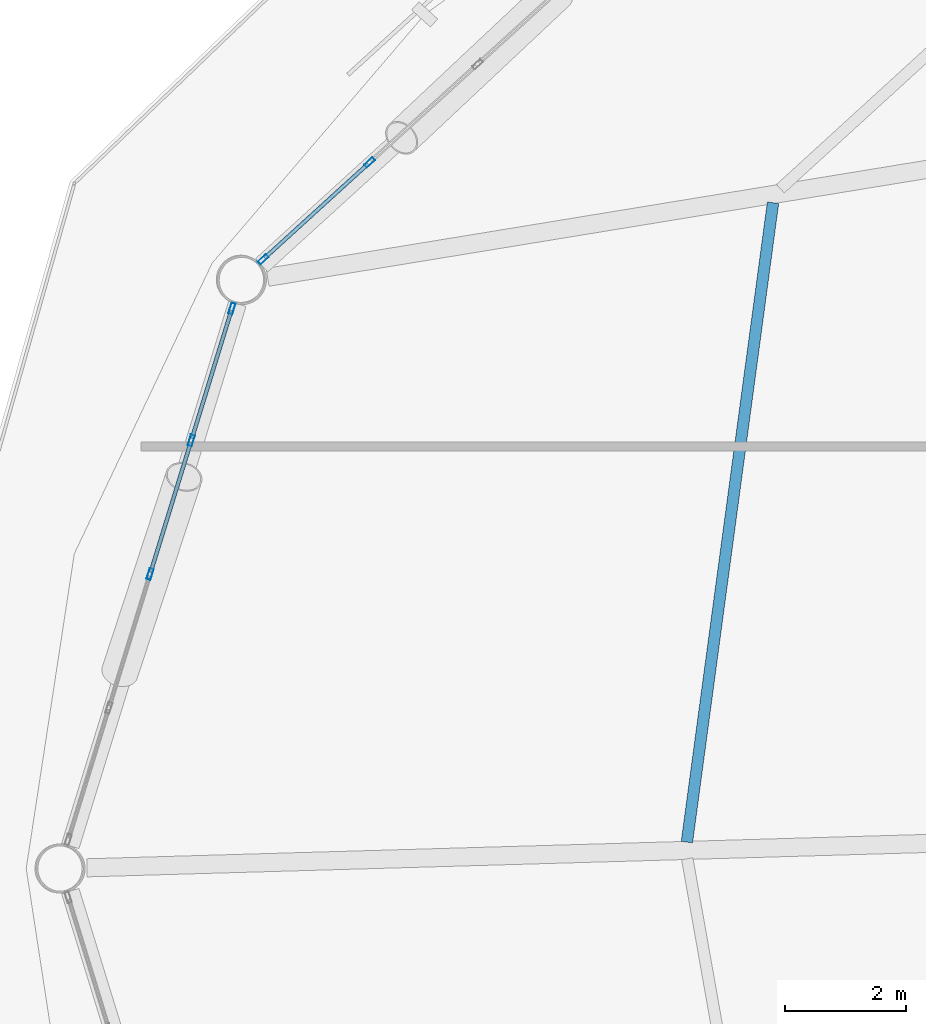
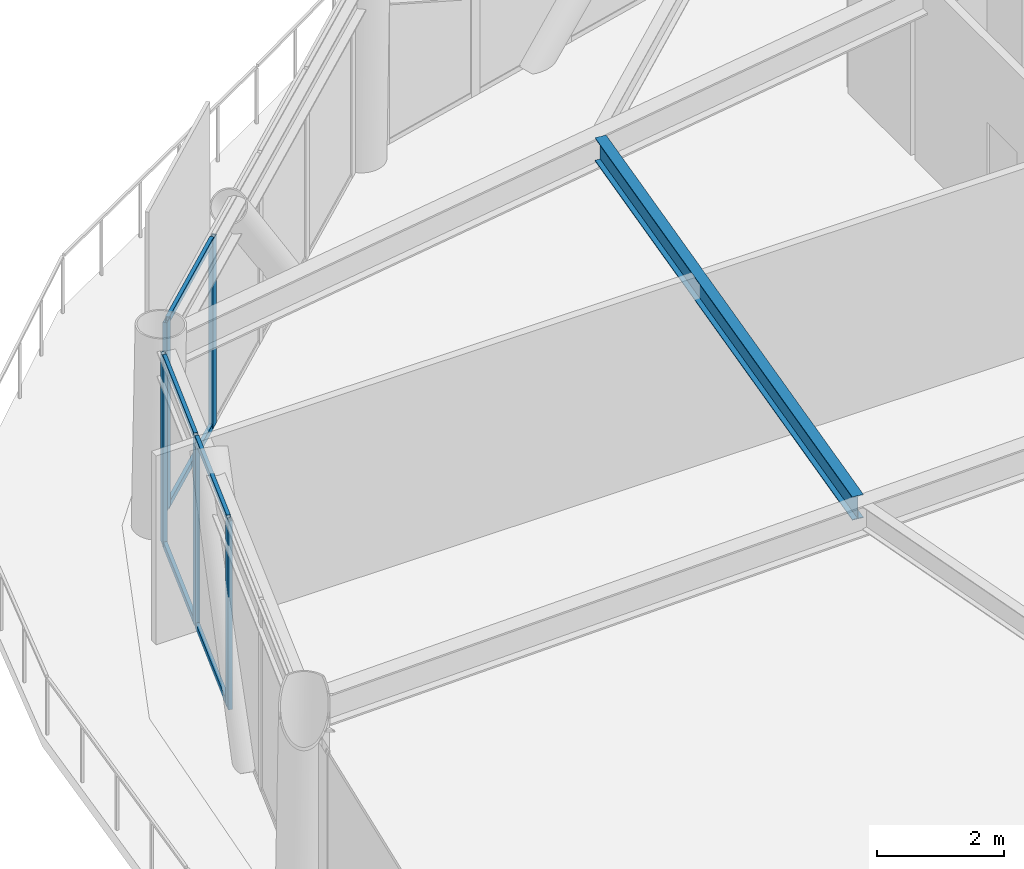
# One storey, part 10 of 24: 11 members, 1 beam, 2 elements without a shape of their own.
"""IFC4 building model written with IfcOpenShell, lengths in metres."""

from ifc_helpers import new_model, si_unit, direction, frame, origin, origin_2d, place, context, subcontext, project, spatial, hollow_rectangle, i_section, extrude, material, layer, layer_set, material_profile, profile_set, type_object, element, aggregate, save


model = new_model("IFC4")

# Units and contexts
model_context = context("Model", 3, precision=1e-05, world=origin(), true_north=direction((0.0, 1.0)))
body_context = subcontext(model_context, "Body", "Model", "MODEL_VIEW")
ifc_project = project(units=[si_unit("LENGTHUNIT", "METRE"), si_unit("AREAUNIT", "SQUARE_METRE"), si_unit("VOLUMEUNIT", "CUBIC_METRE"), si_unit("PLANEANGLEUNIT", "RADIAN"), si_unit("MASSUNIT", "GRAM", prefix="KILO")], contexts=[model_context])

# Site, building, storey
site_placement = place(None, origin())
site = spatial("IfcSite", under=ifc_project, at=site_placement, CompositionType="ELEMENT")
building_placement = place(site_placement, origin())
building = spatial("IfcBuilding", under=site, at=building_placement, Name="Varnakorn Sky Granary", CompositionType="ELEMENT")
storey_placement = place(building_placement, frame((0.0, 0.0, 103.199951171875)))
storey = spatial("IfcBuildingStorey", under=building, at=storey_placement, Name="L25", CompositionType="ELEMENT", Elevation=103.199951171875)

# Beam
ifc_material_1 = material(Name="Steel S355JR", Category="steel")
ifc_material_profile_1 = material_profile(ifc_material_1, i_section(OverallWidth=0.18994140625, OverallDepth=0.449951171875, WebThickness=0.009521484375, FlangeThickness=0.0146484375, at=origin_2d()), Name="IPE 450")
ifc_profile_set_1 = profile_set([ifc_material_profile_1], Name="Steel S355JR")
beam_type = type_object("IfcBeamType", Name="BM-SEC-Z2", PredefinedType="BEAM", material=ifc_profile_set_1)
beam_placement = place(storey_placement, frame((-11.25146484375, 11.0380859375, 3.4150390625), z_axis=(-0.133488326116, -0.991050385596, 0.0), x_axis=(0.991050385596, -0.133488326116, 0.0)))
element("IfcBeam", 1, at=beam_placement, inside=storey, type_object=beam_type, Name="Secondary Floor Chord Beam MSB06 L25", PredefinedType="BEAM", context=body_context, shape_type="SweptSolid", body=[
    extrude(i_section(OverallWidth=0.18994140625, OverallDepth=0.449951171875, WebThickness=0.009521484375, FlangeThickness=0.0146484375, at=origin_2d()), origin(), (0.0, 0.0, 1.0), 10.695556640625),
])

# Curtain wall, members
ifc_material_2 = material(Name="Anodised Bronze Aluminium Alloy 6063-T6", Category="aluminium")
ifc_layer = layer(ifc_material_2, 0.179931640625, Name="Anodised Bronze Aluminium Alloy 6063-T6")
ifc_layer_set = layer_set([ifc_layer], Name="Anodised Bronze Aluminium Alloy 6063-T6")
curtain_wall_type = type_object("IfcCurtainWallType", Name="CW-FRM-2", PredefinedType="USERDEFINED", material=ifc_layer_set)
curtain_wall_1_placement = place(storey_placement, origin())
curtain_wall_1 = element("IfcCurtainWall", 2, at=curtain_wall_1_placement, inside=storey, type_object=curtain_wall_type, Name="Unitised Curtain Wall CW4 CW-L25-B05", ObjectType="CURTAIN WALL", PredefinedType="USERDEFINED")
ifc_material_profile_2 = material_profile(ifc_material_2, hollow_rectangle(XDim=0.070068359375, YDim=0.18505859375, WallThickness=0.00390625, at=origin_2d()), Name="ALU MULL 70x185")
ifc_profile_set_2 = profile_set([ifc_material_profile_2], Name="Anodised Bronze Aluminium Alloy 6063-T6")
member_type_1 = type_object("IfcMemberType", Name="CW-FRM-2-MULL", PredefinedType="MULLION", material=ifc_profile_set_2)
member_1_placement = place(storey_placement, frame((-19.70361328125, 10.10009765625, 0.0), z_axis=(0.0, 0.0, 1.0), x_axis=(-0.673184597183, 0.739474474282, 0.0)))
member_1 = element("IfcMember", 3, at=member_1_placement, type_object=member_type_1, Name="CW4 mullion 1", PredefinedType="MULLION", context=body_context, shape_type="SweptSolid", body=[
    extrude(hollow_rectangle(XDim=0.070068359375, YDim=0.18505859375, WallThickness=0.00390625, at=origin_2d()), origin(), (0.0, 0.0, 1.0), 3.64013671875),
])
member_2_placement = place(storey_placement, frame((-17.939453125, 11.7060546875, 0.0), z_axis=(0.0, 0.0, 1.0), x_axis=(-0.673184597183, 0.739474474282, 0.0)))
member_2 = element("IfcMember", 4, at=member_2_placement, type_object=member_type_1, Name="CW4 mullion 2", PredefinedType="MULLION", context=body_context, shape_type="SweptSolid", body=[
    extrude(hollow_rectangle(XDim=0.070068359375, YDim=0.18505859375, WallThickness=0.00390625, at=origin_2d()), origin(), (0.0, 0.0, 1.0), 3.64013671875),
])

curtain_wall_2_placement = place(storey_placement, origin())
curtain_wall_2 = element("IfcCurtainWall", 5, at=curtain_wall_2_placement, inside=storey, type_object=curtain_wall_type, Name="Unitised Curtain Wall CW4 CW-L25-B06", ObjectType="CURTAIN WALL", PredefinedType="USERDEFINED")
member_3_placement = place(storey_placement, frame((-21.578857421875, 4.88134765625, 0.0), z_axis=(0.0, 0.0, 1.0), x_axis=(-0.955651974312, 0.294498393873, 0.0)))
member_3 = element("IfcMember", 6, at=member_3_placement, type_object=member_type_1, Name="CW4 mullion 3", PredefinedType="MULLION", context=body_context, shape_type="SweptSolid", body=[
    extrude(hollow_rectangle(XDim=0.070068359375, YDim=0.18505859375, WallThickness=0.00390625, at=origin_2d()), origin(), (0.0, 0.0, 1.0), 3.64013671875),
])
member_4_placement = place(storey_placement, frame((-20.895263671875, 7.098876953125, 0.0), z_axis=(0.0, 0.0, 1.0), x_axis=(-0.955651974312, 0.294498393873, 0.0)))
member_4 = element("IfcMember", 7, at=member_4_placement, type_object=member_type_1, Name="CW4 mullion 4", PredefinedType="MULLION", context=body_context, shape_type="SweptSolid", body=[
    extrude(hollow_rectangle(XDim=0.070068359375, YDim=0.18505859375, WallThickness=0.00390625, at=origin_2d()), origin(), (0.0, 0.0, 1.0), 3.64013671875),
])
member_5_placement = place(storey_placement, frame((-20.22216796875, 9.283203125, 0.0), z_axis=(0.0, 0.0, 1.0), x_axis=(-0.955651974312, 0.294498393873, 0.0)))
member_5 = element("IfcMember", 8, at=member_5_placement, type_object=member_type_1, Name="CW4 mullion 5", PredefinedType="MULLION", context=body_context, shape_type="SweptSolid", body=[
    extrude(hollow_rectangle(XDim=0.070068359375, YDim=0.18505859375, WallThickness=0.00390625, at=origin_2d()), origin(), (0.0, 0.0, 1.0), 3.64013671875),
])

# Member
ifc_material_profile_3 = material_profile(ifc_material_2, hollow_rectangle(XDim=0.06494140625, YDim=0.1201171875, WallThickness=0.00341796875, at=origin_2d()), Name="ALU TRAN 65x120")
ifc_profile_set_3 = profile_set([ifc_material_profile_3], Name="Anodised Bronze Aluminium Alloy 6063-T6")
member_type_2 = type_object("IfcMemberType", Name="CW-FRM-2-TRAN", PredefinedType="USERDEFINED", material=ifc_profile_set_3)
member_6_placement = place(storey_placement, frame((-19.677734375, 10.12353515625, 0.032470703125), z_axis=(0.739434217415, 0.673228815571, 0.0), x_axis=(-0.673228815571, 0.739434217415, 0.0)))
member_6 = element("IfcMember", 9, at=member_6_placement, type_object=member_type_2, Name="CW4 transom 1.1", ObjectType="TRANSOM", PredefinedType="USERDEFINED", context=body_context, shape_type="SweptSolid", body=[
    extrude(hollow_rectangle(XDim=0.06494140625, YDim=0.1201171875, WallThickness=0.00341796875, at=origin_2d()), origin(), (0.0, 0.0, 1.0), 2.31591796875),
])

member_7_placement = place(storey_placement, frame((-19.677734375, 10.12353515625, 3.607666015625), z_axis=(0.739434217415, 0.673228815571, 0.0), x_axis=(-0.673228815571, 0.739434217415, 0.0)))
member_7 = element("IfcMember", 10, at=member_7_placement, type_object=member_type_2, Name="CW4 transom 1.2", ObjectType="TRANSOM", PredefinedType="USERDEFINED", context=body_context, shape_type="SweptSolid", body=[
    extrude(hollow_rectangle(XDim=0.06494140625, YDim=0.1201171875, WallThickness=0.00341796875, at=origin_2d()), origin(), (0.0, 0.0, 1.0), 2.31591796875),
])

aggregate(curtain_wall_1, [member_1, member_2, member_6, member_7])

member_8_placement = place(storey_placement, frame((-21.568359375, 4.914794921875, 0.032470703125), z_axis=(0.294535587408, 0.955640511777, 0.0), x_axis=(-0.955640511777, 0.294535587408, 0.0)))
member_8 = element("IfcMember", 11, at=member_8_placement, type_object=member_type_2, Name="CW4 transom 3.1", ObjectType="TRANSOM", PredefinedType="USERDEFINED", context=body_context, shape_type="SweptSolid", body=[
    extrude(hollow_rectangle(XDim=0.06494140625, YDim=0.1201171875, WallThickness=0.00341796875, at=origin_2d()), origin(), (0.0, 0.0, 1.0), 2.25048828125),
])

member_9_placement = place(storey_placement, frame((-21.568359375, 4.914794921875, 3.607666015625), z_axis=(0.294535587408, 0.955640511777, 0.0), x_axis=(-0.955640511777, 0.294535587408, 0.0)))
member_9 = element("IfcMember", 12, at=member_9_placement, type_object=member_type_2, Name="CW4 transom 3.2", ObjectType="TRANSOM", PredefinedType="USERDEFINED", context=body_context, shape_type="SweptSolid", body=[
    extrude(hollow_rectangle(XDim=0.06494140625, YDim=0.1201171875, WallThickness=0.00341796875, at=origin_2d()), origin(), (0.0, 0.0, 1.0), 2.25048828125),
])

member_10_placement = place(storey_placement, frame((-20.885009765625, 7.13232421875, 0.032470703125), z_axis=(0.294527157053, 0.955643110035, 0.0), x_axis=(-0.955643110035, 0.294527157053, 0.0)))
member_10 = element("IfcMember", 13, at=member_10_placement, type_object=member_type_2, Name="CW4 transom 4.1", ObjectType="TRANSOM", PredefinedType="USERDEFINED", context=body_context, shape_type="SweptSolid", body=[
    extrude(hollow_rectangle(XDim=0.06494140625, YDim=0.1201171875, WallThickness=0.00341796875, at=origin_2d()), origin(), (0.0, 0.0, 1.0), 2.2158203125),
])

member_11_placement = place(storey_placement, frame((-20.885009765625, 7.13232421875, 3.607666015625), z_axis=(0.294527157053, 0.955643110035, 0.0), x_axis=(-0.955643110035, 0.294527157053, 0.0)))
member_11 = element("IfcMember", 14, at=member_11_placement, type_object=member_type_2, Name="CW4 transom 4.2", ObjectType="TRANSOM", PredefinedType="USERDEFINED", context=body_context, shape_type="SweptSolid", body=[
    extrude(hollow_rectangle(XDim=0.06494140625, YDim=0.1201171875, WallThickness=0.00341796875, at=origin_2d()), origin(), (0.0, 0.0, 1.0), 2.2158203125),
])

aggregate(curtain_wall_2, [member_3, member_4, member_5, member_8, member_9, member_10, member_11])

save(model, "model.ifc")
